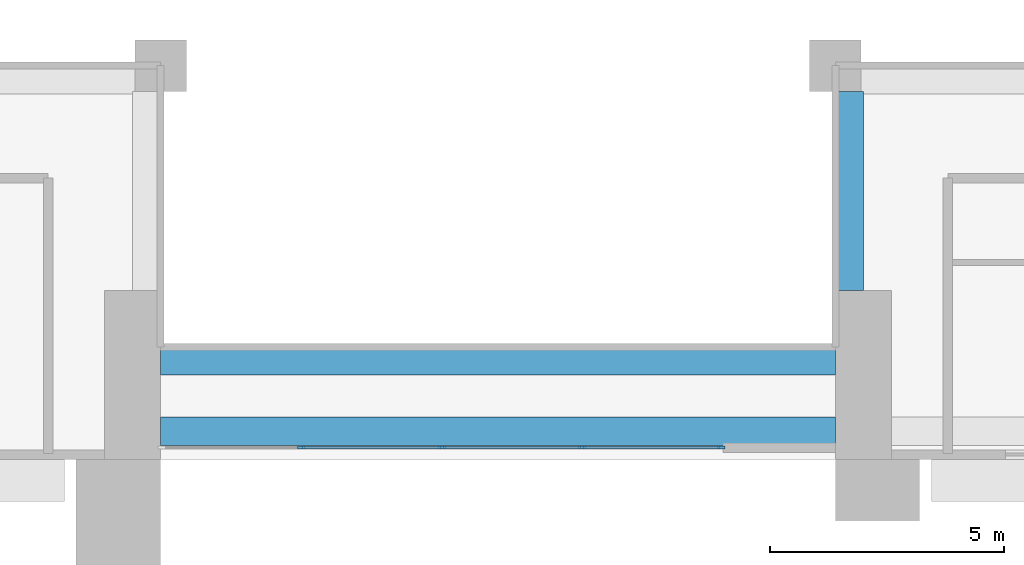
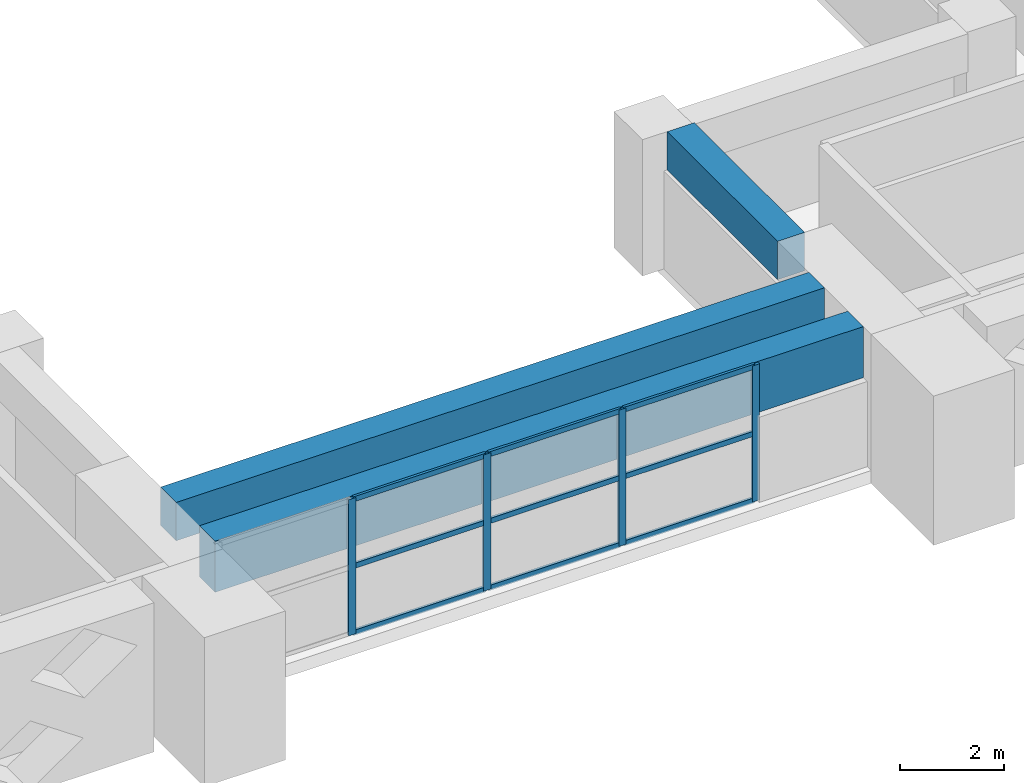
# One storey, part 4 of 20: 13 members, 3 beams, 1 element without a shape of its own.
"""IFC4 building model written with IfcOpenShell, lengths in metres."""

from ifc_helpers import new_model, si_unit, direction, frame, origin, origin_2d, place, context, subcontext, project, spatial, rectangle, extrude, source, transform, mapped, material, layer, layer_set, material_profile, profile_set, type_object, element, aggregate, save


model = new_model("IFC4")

# Units and contexts
model_context = context("Model", 3, precision=1e-05, world=origin(), true_north=direction((0.0, 1.0)))
body_context = subcontext(model_context, "Body", "Model", "MODEL_VIEW")
ifc_project = project(units=[si_unit("LENGTHUNIT", "METRE"), si_unit("AREAUNIT", "SQUARE_METRE"), si_unit("VOLUMEUNIT", "CUBIC_METRE"), si_unit("PLANEANGLEUNIT", "RADIAN"), si_unit("MASSUNIT", "GRAM", prefix="KILO")], contexts=[model_context])

# Site, building, storey
site_placement = place(None, origin())
site = spatial("IfcSite", under=ifc_project, at=site_placement, CompositionType="ELEMENT")
building_placement = place(site_placement, origin())
building = spatial("IfcBuilding", under=site, at=building_placement, Name="Saffron Iwan Residences", CompositionType="ELEMENT")
storey_placement = place(building_placement, frame((0.0, 0.0, 127.0)))
storey = spatial("IfcBuildingStorey", under=building, at=storey_placement, Name="L33", CompositionType="ELEMENT", Elevation=127.0)

# Beams
ifc_material_1 = material(Name="Concrete C50/60", Category="concrete")
ifc_material_profile_1 = material_profile(ifc_material_1, rectangle(XDim=0.60009765625, YDim=1.199951171875, at=origin_2d()), Name="RC 600x1200")
ifc_profile_set_1 = profile_set([ifc_material_profile_1], Name="Concrete C50/60")
beam_type_1 = type_object("IfcBeamType", Name="LINTEL BEAM RC 600x1200 C50/60 TOP 3200", PredefinedType="LINTEL", material=ifc_profile_set_1)
shared_shape_1 = source(origin(), body_context, "Body", "SweptSolid", [
    extrude(rectangle(XDim=0.60009765625, YDim=1.199951171875, at=origin_2d()), origin(), (0.0, 0.0, 1.0), 14.400146484375),
])
beam_1_placement = place(storey_placement, frame((57.60009765625, 40.199951171875, 2.60009765625), z_axis=(-1.0, 0.0, 0.0), x_axis=(0.0, -1.0, 0.0)))
element("IfcBeam", 1, at=beam_1_placement, inside=storey, type_object=beam_type_1, Name="Lintel beam over the iwan", PredefinedType="LINTEL", context=body_context, shape_type="MappedRepresentation", body=[
    mapped(shared_shape_1, transform((0.0, 0.0, 0.0))),
])
ifc_material_profile_2 = material_profile(ifc_material_1, rectangle(XDim=0.60009765625, YDim=0.89990234375, at=origin_2d()), Name="RC 600x900")
ifc_profile_set_2 = profile_set([ifc_material_profile_2], Name="Concrete C50/60")
beam_type_2 = type_object("IfcBeamType", Name="BEAM RC 600x900 C50/60 TOP 3200", PredefinedType="BEAM", material=ifc_profile_set_2)
shared_shape_2 = source(origin(), body_context, "Body", "SweptSolid", [
    extrude(rectangle(XDim=0.60009765625, YDim=0.89990234375, at=origin_2d()), origin(), (0.0, 0.0, 1.0), 14.400146484375),
])
beam_2_placement = place(storey_placement, frame((57.60009765625, 41.699951171875, 2.75), z_axis=(-1.0, 0.0, 0.0), x_axis=(0.0, -1.0, 0.0)))
element("IfcBeam", 2, at=beam_2_placement, inside=storey, type_object=beam_type_2, Name="Atrium edge beam", PredefinedType="BEAM", context=body_context, shape_type="MappedRepresentation", body=[
    mapped(shared_shape_2, transform((0.0, 0.0, 0.0))),
])
shared_shape_3 = source(origin(), body_context, "Body", "SweptSolid", [
    extrude(rectangle(XDim=0.60009765625, YDim=0.89990234375, at=origin_2d()), origin(), (0.0, 0.0, 1.0), 4.25),
])
beam_3_placement = place(storey_placement, frame((57.89990234375, 47.449951171875, 2.75), z_axis=(0.0, -1.0, 0.0), x_axis=(1.0, 0.0, 0.0)))
element("IfcBeam", 3, at=beam_3_placement, inside=storey, type_object=beam_type_2, Name="Atrium edge beam", PredefinedType="BEAM", context=body_context, shape_type="MappedRepresentation", body=[
    mapped(shared_shape_3, transform((0.0, 0.0, 0.0))),
])

# Curtain wall, members
ifc_material_2 = material(Name="Clear glass, laminated double glazed", Category="glass")
ifc_layer = layer(ifc_material_2, 0.199951171875)
ifc_layer_set = layer_set([ifc_layer], Name="Clear glass, laminated double glazed")
curtain_wall_type = type_object("IfcCurtainWallType", Name="CW-B IWAN PORTAL", PredefinedType="NOTDEFINED", material=ifc_layer_set)
curtain_wall_placement = place(storey_placement, origin())
curtain_wall = element("IfcCurtainWall", 4, at=curtain_wall_placement, inside=storey, type_object=curtain_wall_type, Name="Iwan portal glazing L33.1", PredefinedType="NOTDEFINED")
ifc_material_3 = material(Name="Aluminium 6063-T6", Category="aluminium")
ifc_material_profile_3 = material_profile(ifc_material_3, rectangle(XDim=0.06005859375, YDim=0.1201171875, at=origin_2d()), Name="CW-B TRANSOM 60 x 120")
ifc_profile_set_3 = profile_set([ifc_material_profile_3], Name="Aluminium 6063-T6")
member_type_1 = type_object("IfcMemberType", Name="CW-B TRANSOM 60 x 120", PredefinedType="USERDEFINED", material=ifc_profile_set_3)
shared_shape_4 = source(origin(), body_context, "Body", "SweptSolid", [
    extrude(rectangle(XDim=0.06005859375, YDim=0.1201171875, at=origin_2d()), origin(), (0.0, 0.0, 1.0), 2.909912109375),
])
member_1_placement = place(storey_placement, frame((52.22998046875, 39.85009765625, 0.030029296875), z_axis=(1.0, 0.0, 0.0), x_axis=(0.0, 1.0, 0.0)))
member_1 = element("IfcMember", 5, at=member_1_placement, type_object=member_type_1, Name="CW-B transom 4.1", ObjectType="TRANSOM", PredefinedType="USERDEFINED", context=body_context, shape_type="MappedRepresentation", body=[
    mapped(shared_shape_4, transform((0.0, 0.0, 0.0))),
])
member_2_placement = place(storey_placement, frame((52.22998046875, 39.85009765625, 1.60009765625), z_axis=(1.0, 0.0, 0.0), x_axis=(0.0, 1.0, 0.0)))
member_2 = element("IfcMember", 6, at=member_2_placement, type_object=member_type_1, Name="CW-B transom 4.2", ObjectType="TRANSOM", PredefinedType="USERDEFINED", context=body_context, shape_type="MappedRepresentation", body=[
    mapped(shared_shape_4, transform((0.0, 0.0, 0.0))),
])
member_3_placement = place(storey_placement, frame((52.22998046875, 39.85009765625, 3.169921875), z_axis=(1.0, 0.0, 0.0), x_axis=(0.0, 1.0, 0.0)))
member_3 = element("IfcMember", 7, at=member_3_placement, type_object=member_type_1, Name="CW-B transom 4.3", ObjectType="TRANSOM", PredefinedType="USERDEFINED", context=body_context, shape_type="MappedRepresentation", body=[
    mapped(shared_shape_4, transform((0.0, 0.0, 0.0))),
])
shared_shape_5 = source(origin(), body_context, "Body", "SweptSolid", [
    extrude(rectangle(XDim=0.06005859375, YDim=0.1201171875, at=origin_2d()), origin(), (0.0, 0.0, 1.0), 2.93994140625),
])
member_4_placement = place(storey_placement, frame((46.22998046875, 39.85009765625, 0.030029296875), z_axis=(1.0, 0.0, 0.0), x_axis=(0.0, 1.0, 0.0)))
member_4 = element("IfcMember", 8, at=member_4_placement, type_object=member_type_1, Name="CW-B transom 2.1", ObjectType="TRANSOM", PredefinedType="USERDEFINED", context=body_context, shape_type="MappedRepresentation", body=[
    mapped(shared_shape_5, transform((0.0, 0.0, 0.0))),
])
member_5_placement = place(storey_placement, frame((46.22998046875, 39.85009765625, 1.60009765625), z_axis=(1.0, 0.0, 0.0), x_axis=(0.0, 1.0, 0.0)))
member_5 = element("IfcMember", 9, at=member_5_placement, type_object=member_type_1, Name="CW-B transom 2.2", ObjectType="TRANSOM", PredefinedType="USERDEFINED", context=body_context, shape_type="MappedRepresentation", body=[
    mapped(shared_shape_5, transform((0.0, 0.0, 0.0))),
])
member_6_placement = place(storey_placement, frame((46.22998046875, 39.85009765625, 3.169921875), z_axis=(1.0, 0.0, 0.0), x_axis=(0.0, 1.0, 0.0)))
member_6 = element("IfcMember", 10, at=member_6_placement, type_object=member_type_1, Name="CW-B transom 2.3", ObjectType="TRANSOM", PredefinedType="USERDEFINED", context=body_context, shape_type="MappedRepresentation", body=[
    mapped(shared_shape_5, transform((0.0, 0.0, 0.0))),
])
member_7_placement = place(storey_placement, frame((49.22998046875, 39.85009765625, 0.030029296875), z_axis=(1.0, 0.0, 0.0), x_axis=(0.0, 1.0, 0.0)))
member_7 = element("IfcMember", 11, at=member_7_placement, type_object=member_type_1, Name="CW-B transom 3.1", ObjectType="TRANSOM", PredefinedType="USERDEFINED", context=body_context, shape_type="MappedRepresentation", body=[
    mapped(shared_shape_5, transform((0.0, 0.0, 0.0))),
])
member_8_placement = place(storey_placement, frame((49.22998046875, 39.85009765625, 1.60009765625), z_axis=(1.0, 0.0, 0.0), x_axis=(0.0, 1.0, 0.0)))
member_8 = element("IfcMember", 12, at=member_8_placement, type_object=member_type_1, Name="CW-B transom 3.2", ObjectType="TRANSOM", PredefinedType="USERDEFINED", context=body_context, shape_type="MappedRepresentation", body=[
    mapped(shared_shape_5, transform((0.0, 0.0, 0.0))),
])
member_9_placement = place(storey_placement, frame((49.22998046875, 39.85009765625, 3.169921875), z_axis=(1.0, 0.0, 0.0), x_axis=(0.0, 1.0, 0.0)))
member_9 = element("IfcMember", 13, at=member_9_placement, type_object=member_type_1, Name="CW-B transom 3.3", ObjectType="TRANSOM", PredefinedType="USERDEFINED", context=body_context, shape_type="MappedRepresentation", body=[
    mapped(shared_shape_5, transform((0.0, 0.0, 0.0))),
])
ifc_material_profile_4 = material_profile(ifc_material_3, rectangle(XDim=0.06005859375, YDim=0.159912109375, at=origin_2d()), Name="CW-B MULLION 60 x 160")
ifc_profile_set_4 = profile_set([ifc_material_profile_4], Name="Aluminium 6063-T6")
member_type_2 = type_object("IfcMemberType", Name="CW-B MULLION 60 x 160", PredefinedType="MULLION", material=ifc_profile_set_4)
shared_shape_6 = source(origin(), body_context, "Body", "SweptSolid", [
    extrude(rectangle(XDim=0.06005859375, YDim=0.159912109375, at=origin_2d()), origin(), (0.0, 0.0, 1.0), 3.199951171875),
])
member_10_placement = place(storey_placement, frame((46.199951171875, 39.85009765625, 0.0), z_axis=(0.0, 0.0, 1.0), x_axis=(0.0, 1.0, 0.0)))
member_10 = element("IfcMember", 14, at=member_10_placement, type_object=member_type_2, Name="CW-B mullion 2", PredefinedType="MULLION", context=body_context, shape_type="MappedRepresentation", body=[
    mapped(shared_shape_6, transform((0.0, 0.0, 0.0))),
])
member_11_placement = place(storey_placement, frame((49.199951171875, 39.85009765625, 0.0), z_axis=(0.0, 0.0, 1.0), x_axis=(0.0, 1.0, 0.0)))
member_11 = element("IfcMember", 15, at=member_11_placement, type_object=member_type_2, Name="CW-B mullion 3", PredefinedType="MULLION", context=body_context, shape_type="MappedRepresentation", body=[
    mapped(shared_shape_6, transform((0.0, 0.0, 0.0))),
])
member_12_placement = place(storey_placement, frame((52.199951171875, 39.85009765625, 0.0), z_axis=(0.0, 0.0, 1.0), x_axis=(0.0, 1.0, 0.0)))
member_12 = element("IfcMember", 16, at=member_12_placement, type_object=member_type_2, Name="CW-B mullion 4", PredefinedType="MULLION", context=body_context, shape_type="MappedRepresentation", body=[
    mapped(shared_shape_6, transform((0.0, 0.0, 0.0))),
])
member_13_placement = place(storey_placement, frame((55.169921875, 39.85009765625, 0.0), z_axis=(0.0, 0.0, 1.0), x_axis=(0.0, 1.0, 0.0)))
member_13 = element("IfcMember", 17, at=member_13_placement, type_object=member_type_2, Name="CW-B mullion 5", PredefinedType="MULLION", context=body_context, shape_type="MappedRepresentation", body=[
    mapped(shared_shape_6, transform((0.0, 0.0, 0.0))),
])
aggregate(curtain_wall, [member_10, member_11, member_12, member_13, member_4, member_5, member_6, member_7, member_8, member_9, member_1, member_2, member_3])

save(model, "model.ifc")
